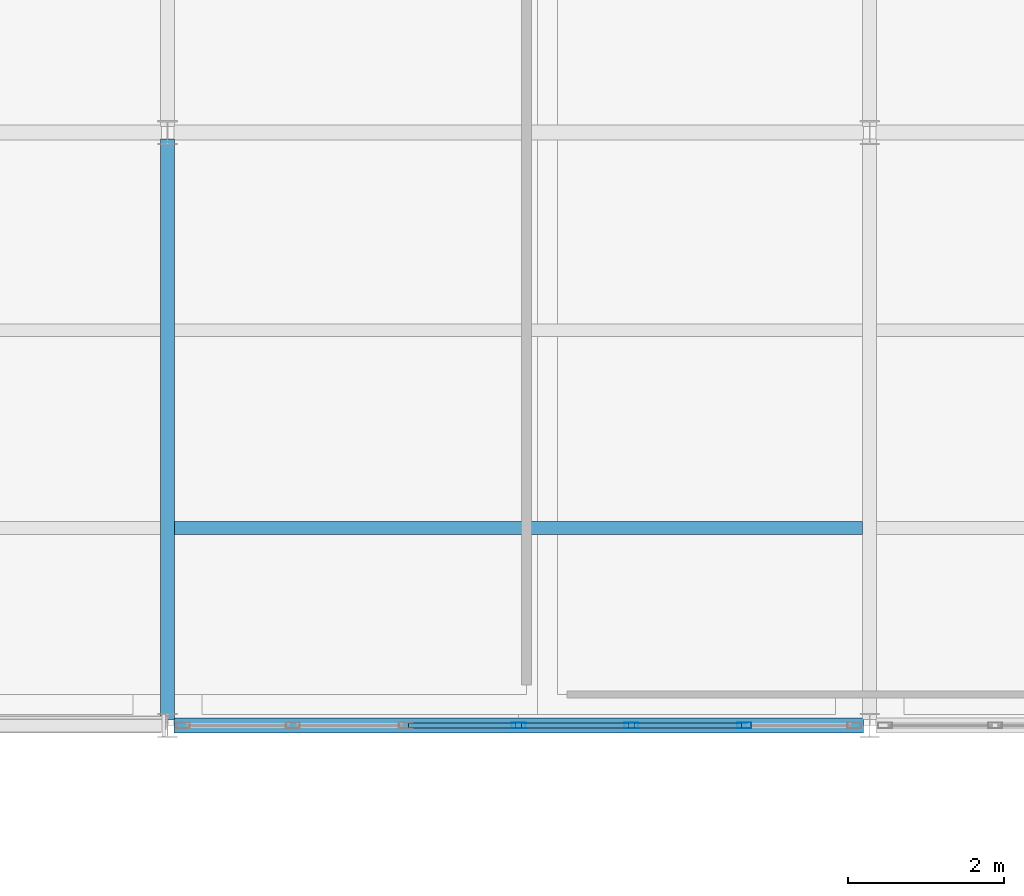
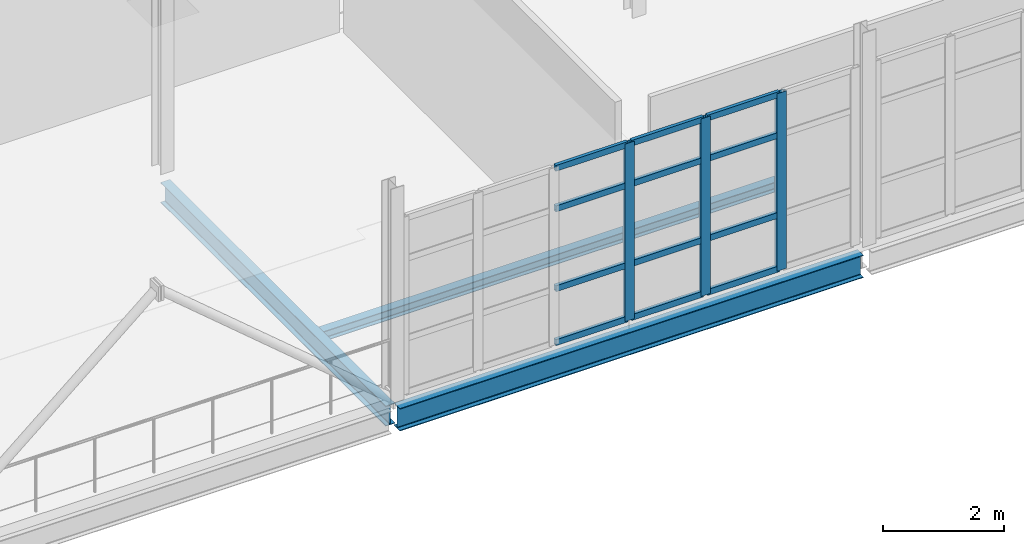
# One storey, part 84 of 174: 15 members, 3 beams, 1 element without a shape of its own.
"""IFC4 building model written with IfcOpenShell, lengths in metres."""

import ifcopenshell
import ifcopenshell.guid

model = None  # the IFC model being written
_history = None  # IfcOwnerHistory: only IFC2X3 demands one
_inside = {}  # id of a spatial element -> (the spatial element, [elements in it])
_under = {}  # id of a project, library or spatial element -> (it, [spatial elements below it])
_declared = {}  # id of a project -> (the project, [libraries it declares])
_typed = {}  # id of a type object -> (the type object, [elements of that type])
_made_of = {}  # id of a material, layer set ... -> (it, [elements and type objects made of it])


def new_model(schema):
    """Start an empty IFC model of exactly this schema.

    Asked for "IFC4X3", IfcOpenShell would pick the latest addendum, in which some entities
    have other attributes; the version numbers below select the first issue.
    IFC2X3 requires an IfcOwnerHistory on every rooted entity: one is made here for all.
    """
    global model, _history
    if schema == "IFC4X3":
        model = ifcopenshell.file(schema_version=(4, 3, 0, 0))
    else:
        model = ifcopenshell.file(schema=schema)
    _inside.clear()
    _under.clear()
    _declared.clear()
    _typed.clear()
    _made_of.clear()
    _history = None
    if model.schema == "IFC2X3":
        org = make("IfcOrganization", Name="unknown")
        user = make(
            "IfcPersonAndOrganization",
            ThePerson=make("IfcPerson", FamilyName="unknown"),
            TheOrganization=org,
        )
        app = make(
            "IfcApplication",
            ApplicationDeveloper=org,
            Version="unknown",
            ApplicationFullName="unknown",
            ApplicationIdentifier="unknown",
        )
        _history = make(
            "IfcOwnerHistory",
            OwningUser=user,
            OwningApplication=app,
            ChangeAction="ADDED",
            CreationDate=0,
        )
    return model


def make(cls, **values):
    """One entity of the class cls with the attributes given. An attribute that is None is left unset."""
    return model.create_entity(
        cls, **{name: value for name, value in values.items() if value is not None}
    )


def rooted(cls, **values):
    """An entity with a GlobalId (a new one), such as an element, a storey or a relation."""
    return make(cls, GlobalId=ifcopenshell.guid.new(), OwnerHistory=_history, **values)


def si_unit(unit_type, name, prefix=None):
    """IfcSIUnit, for example si_unit("LENGTHUNIT", "METRE", prefix="MILLI")."""
    return make("IfcSIUnit", UnitType=unit_type, Prefix=prefix, Name=name)


def assignment(units):
    """IfcUnitAssignment: the units of a project."""
    return None if units is None else make("IfcUnitAssignment", Units=units)


def point(xyz):
    """IfcCartesianPoint."""
    return None if xyz is None else make("IfcCartesianPoint", Coordinates=xyz)


def direction(xyz):
    """IfcDirection."""
    return None if xyz is None else make("IfcDirection", DirectionRatios=xyz)


def frame(location, z_axis=None, x_axis=None):
    """IfcAxis2Placement3D, a coordinate frame: its origin and axes. An axis left out is left unset."""
    return make(
        "IfcAxis2Placement3D",
        Location=point(location),
        Axis=direction(z_axis),
        RefDirection=direction(x_axis),
    )


def frame_2d(location, x_axis=None):
    """IfcAxis2Placement2D, a coordinate frame in the plane: its origin and x axis."""
    return make(
        "IfcAxis2Placement2D", Location=point(location), RefDirection=direction(x_axis)
    )


def origin():
    """The frame at (0, 0, 0) with its axes left unset."""
    return frame((0.0, 0.0, 0.0))


def origin_2d():
    """The frame at (0, 0) in the plane with its x axis left unset."""
    return frame_2d((0.0, 0.0))


def place(relative_to, where):
    """IfcLocalPlacement: puts the frame where relative to a parent placement (None: the world)."""
    return make(
        "IfcLocalPlacement", PlacementRelTo=relative_to, RelativePlacement=where
    )


def context(
    kind, dimensions, precision=None, world=None, true_north=None, identifier=None
):
    """IfcGeometricRepresentationContext, for example the 3D "Model" context."""
    return make(
        "IfcGeometricRepresentationContext",
        ContextIdentifier=identifier,
        ContextType=kind,
        CoordinateSpaceDimension=dimensions,
        Precision=precision,
        WorldCoordinateSystem=world,
        TrueNorth=true_north,
    )


def subcontext(parent, identifier, kind, view, scale=None):
    """IfcGeometricRepresentationSubContext, for example "Body" below "Model"."""
    return make(
        "IfcGeometricRepresentationSubContext",
        ContextIdentifier=identifier,
        ContextType=kind,
        ParentContext=parent,
        TargetScale=scale,
        TargetView=view,
    )


def project(units=None, contexts=None):
    """IfcProject with its units and contexts."""
    return rooted(
        "IfcProject",
        Name="project",
        RepresentationContexts=contexts,
        UnitsInContext=assignment(units),
    )


def spatial(cls, under=None, at=None, **own):
    """A site, building, storey or space (cls), placed at a placement, below another one or the project."""
    s = rooted(cls, ObjectPlacement=at, **own)
    if under is not None:
        _under.setdefault(under.id(), (under, []))[1].append(s)
    return s


def profile(cls, at=None, kind="AREA", **sizes):
    """A parametric profile (cls). Its sizes go by their IFC names, for example OverallWidth=200.0."""
    return make(cls, ProfileType=kind, Position=at, **sizes)


def hollow_rectangle(**sizes):
    """IfcRectangleHollowProfileDef."""
    return profile("IfcRectangleHollowProfileDef", **sizes)


def i_section(**sizes):
    """IfcIShapeProfileDef."""
    return profile("IfcIShapeProfileDef", **sizes)


def extrude(swept, where, along, depth):
    """IfcExtrudedAreaSolid: the profile swept, set in the frame where, extruded along a direction by depth."""
    return make(
        "IfcExtrudedAreaSolid",
        SweptArea=swept,
        Position=where,
        ExtrudedDirection=direction(along),
        Depth=depth,
    )


def shape(context_of_items, identifier, shape_type, items):
    """IfcShapeRepresentation: the items that make up one representation, for example the "Body"."""
    return make(
        "IfcShapeRepresentation",
        ContextOfItems=context_of_items,
        RepresentationIdentifier=identifier,
        RepresentationType=shape_type,
        Items=items,
    )


def material(Name=None, Category=None):
    """IfcMaterial."""
    return make("IfcMaterial", Name=Name, Category=Category)


def material_profile(
    of_material, cross_section, Name=None, Category=None, Priority=None
):
    """IfcMaterialProfile: a cross section and its material."""
    return make(
        "IfcMaterialProfile",
        Name=Name,
        Material=of_material,
        Profile=cross_section,
        Priority=Priority,
        Category=Category,
    )


def profile_set(profiles, Name=None, composite=None):
    """IfcMaterialProfileSet."""
    return make(
        "IfcMaterialProfileSet",
        Name=Name,
        MaterialProfiles=profiles,
        CompositeProfile=composite,
    )


def made_of(thing, what):
    """Note that an element or type object is made of a material, layer set ...; save() writes the relation."""
    if what is not None:
        _made_of.setdefault(what.id(), (what, []))[1].append(thing)
    return thing


def type_object(cls, material=None, **own):
    """A type object (cls), such as IfcWallType, which elements share."""
    return made_of(rooted(cls, **own), material)


def element(
    cls,
    number,
    at=None,
    inside=None,
    cuts=None,
    type_object=None,
    material=None,
    context=None,
    identifier="Body",
    shape_type=None,
    held_by="IfcProductDefinitionShape",
    body=None,
    shapes=None,
    **own,
):
    """One element of the class cls, such as IfcWall. Its Tag is "e" and its number.

    at: its placement. inside: the storey or other place that contains it. cuts: it is an
    opening in that element (IfcRelVoidsElement). A single representation is given by context,
    identifier, shape_type and body (its items); several are given by shapes. held_by: the class
    of the entity that holds the representations. save() writes the other relations.
    """
    e = rooted(cls, Tag="e%d" % number, ObjectPlacement=at, **own)
    if body is not None:
        shapes = [shape(context, identifier, shape_type, body)]
    if shapes is not None:
        e.Representation = make(held_by, Representations=shapes)
    if inside is not None:
        _inside.setdefault(inside.id(), (inside, []))[1].append(e)
    if cuts is not None:
        rooted(
            "IfcRelVoidsElement", RelatingBuildingElement=cuts, RelatedOpeningElement=e
        )
    if type_object is not None:
        _typed.setdefault(type_object.id(), (type_object, []))[1].append(e)
    return made_of(e, material)


def aggregate(whole, parts):
    """IfcRelAggregates: a whole, such as a stair, and the parts it consists of."""
    return rooted("IfcRelAggregates", RelatingObject=whole, RelatedObjects=parts)


def save(model, path):
    """Write the relations noted so far, then the file.

    IfcRelAggregates (storeys below a building ...), IfcRelContainedInSpatialStructure (elements
    in a storey), IfcRelDefinesByType, IfcRelAssociatesMaterial and IfcRelDeclares: one each for
    every whole, place, type object, material and project.
    """
    for whole, parts in _under.values():
        aggregate(whole, parts)
    for where, things in _inside.values():
        rooted(
            "IfcRelContainedInSpatialStructure",
            RelatedElements=things,
            RelatingStructure=where,
        )
    for kind, things in _typed.values():
        rooted("IfcRelDefinesByType", RelatedObjects=things, RelatingType=kind)
    for what, things in _made_of.values():
        rooted("IfcRelAssociatesMaterial", RelatedObjects=things, RelatingMaterial=what)
    for by, libraries in _declared.values():
        rooted("IfcRelDeclares", RelatingContext=by, RelatedDefinitions=libraries)
    model.write(path)


model = new_model("IFC4")

# Units and contexts
model_context = context("Model", 3, precision=1e-05, world=origin(), true_north=direction((0.0, 1.0)))
body_context = subcontext(model_context, "Body", "Model", "MODEL_VIEW")
ifc_project = project(units=[si_unit("LENGTHUNIT", "METRE"), si_unit("AREAUNIT", "SQUARE_METRE"), si_unit("VOLUMEUNIT", "CUBIC_METRE"), si_unit("PLANEANGLEUNIT", "RADIAN"), si_unit("MASSUNIT", "GRAM", prefix="KILO")], contexts=[model_context])

# Site, building, storey
site_placement = place(None, origin())
site = spatial("IfcSite", under=ifc_project, at=site_placement, CompositionType="ELEMENT")
building_placement = place(site_placement, origin())
building = spatial("IfcBuilding", under=site, at=building_placement, Name="Caisbarro Railhouse Central Library", CompositionType="ELEMENT")
storey_placement = place(building_placement, frame((0.0, 0.0, 5.0400390625)))
storey = spatial("IfcBuildingStorey", under=building, at=storey_placement, Name="L01", CompositionType="ELEMENT", Elevation=5.0400390625)

# Beams
ifc_material_1 = material(Name="Steel ASTM A572 Grade 50", Category="steel")
ifc_material_profile_1 = material_profile(ifc_material_1, i_section(OverallWidth=0.177978515625, OverallDepth=0.406982421875, WebThickness=0.0078125, FlangeThickness=0.0126953125, FilletRadius=0.01611328125, at=origin_2d()), Name="W410X60.0")
ifc_profile_set_1 = profile_set([ifc_material_profile_1], Name="Steel ASTM A572 Grade 50")
beam_type_1 = type_object("IfcBeamType", Name="BM-G10", PredefinedType="BEAM", material=ifc_profile_set_1)
beam_1_placement = place(storey_placement, frame((72.0, 83.679931640625, -0.403564453125), z_axis=(0.0, 1.0, 0.0), x_axis=(-1.0, 0.0, 0.0)))
element("IfcBeam", 1, at=beam_1_placement, inside=storey, type_object=beam_type_1, Name="G10 beam L01 #1192", PredefinedType="BEAM", context=body_context, shape_type="SweptSolid", body=[
    extrude(i_section(OverallWidth=0.177978515625, OverallDepth=0.406982421875, WebThickness=0.0078125, FlangeThickness=0.0126953125, FilletRadius=0.01611328125, at=origin_2d()), origin(), (0.0, 0.0, 1.0), 7.440185546875),
])
ifc_material_profile_2 = material_profile(ifc_material_1, i_section(OverallWidth=0.1650390625, OverallDepth=0.200927734375, WebThickness=0.006103515625, FlangeThickness=0.01025390625, FilletRadius=0.010009765625, at=origin_2d()), Name="W200X35.9")
ifc_profile_set_2 = profile_set([ifc_material_profile_2], Name="Steel ASTM A572 Grade 50")
beam_type_2 = type_object("IfcBeamType", Name="BM-J06", PredefinedType="JOIST", material=ifc_profile_set_2)
beam_2_placement = place(storey_placement, frame((72.089111328125, 86.13330078125, -0.300537109375), z_axis=(1.0, 0.0, 0.0), x_axis=(0.0, 1.0, 0.0)))
element("IfcBeam", 2, at=beam_2_placement, inside=storey, type_object=beam_type_2, Name="J06 beam L01 #1224", PredefinedType="JOIST", context=body_context, shape_type="SweptSolid", body=[
    extrude(i_section(OverallWidth=0.1650390625, OverallDepth=0.200927734375, WebThickness=0.006103515625, FlangeThickness=0.01025390625, FilletRadius=0.010009765625, at=origin_2d()), origin(), (0.0, 0.0, 1.0), 8.82177734375),
])
ifc_material_profile_3 = material_profile(ifc_material_1, i_section(OverallWidth=0.18994140625, OverallDepth=0.45703125, WebThickness=0.009033203125, FlangeThickness=0.014404296875, FilletRadius=0.01806640625, at=origin_2d()), Name="W460X74.0")
ifc_profile_set_3 = profile_set([ifc_material_profile_3], Name="Steel ASTM A572 Grade 50")
beam_type_3 = type_object("IfcBeamType", Name="BM-SP01", PredefinedType="SPANDREL", material=ifc_profile_set_3)
beam_3_placement = place(storey_placement, frame((72.080078125, 83.60009765625, -0.428466796875), z_axis=(1.0, 0.0, 0.0), x_axis=(0.0, 1.0, 0.0)))
element("IfcBeam", 3, at=beam_3_placement, inside=storey, type_object=beam_type_3, Name="SP01 beam L01 #1161", PredefinedType="SPANDREL", context=body_context, shape_type="SweptSolid", body=[
    extrude(i_section(OverallWidth=0.18994140625, OverallDepth=0.45703125, WebThickness=0.009033203125, FlangeThickness=0.014404296875, FilletRadius=0.01806640625, at=origin_2d()), origin(), (0.0, 0.0, 1.0), 8.83984375),
])

# Curtain wall, members
ifc_material_2 = material(Name="Anodised architectural aluminium", Category="aluminium")
curtain_wall_type = type_object("IfcCurtainWallType", Name="CW-CW02", PredefinedType="NOTDEFINED", material=ifc_material_2)
curtain_wall_placement = place(storey_placement, origin())
curtain_wall = element("IfcCurtainWall", 4, at=curtain_wall_placement, inside=storey, type_object=curtain_wall_type, Name="CW02 curtain wall L01 #174", PredefinedType="NOTDEFINED")
ifc_material_profile_4 = material_profile(ifc_material_2, hollow_rectangle(XDim=0.074951171875, YDim=0.179931640625, WallThickness=0.00439453125, at=origin_2d()), Name="ALU-MUL-75X180")
ifc_profile_set_4 = profile_set([ifc_material_profile_4], Name="Anodised architectural aluminium")
member_type_1 = type_object("IfcMemberType", Name="CWM-M01", PredefinedType="MULLION", material=ifc_profile_set_4)
member_1_placement = place(storey_placement, frame((76.5, 83.60009765625, 0.0), z_axis=(0.0, 0.0, 1.0), x_axis=(0.0, 1.0, 0.0)))
member_1 = element("IfcMember", 5, at=member_1_placement, type_object=member_type_1, Name="CW02 mullion 4", PredefinedType="MULLION", context=body_context, shape_type="SweptSolid", body=[
    extrude(hollow_rectangle(XDim=0.074951171875, YDim=0.179931640625, WallThickness=0.00439453125, at=origin_2d()), origin(), (0.0, 0.0, 1.0), 3.580078125),
])
member_2_placement = place(storey_placement, frame((77.94677734375, 83.60009765625, 0.0), z_axis=(0.0, 0.0, 1.0), x_axis=(0.0, 1.0, 0.0)))
member_2 = element("IfcMember", 6, at=member_2_placement, type_object=member_type_1, Name="CW02 mullion 5", PredefinedType="MULLION", context=body_context, shape_type="SweptSolid", body=[
    extrude(hollow_rectangle(XDim=0.074951171875, YDim=0.179931640625, WallThickness=0.00439453125, at=origin_2d()), origin(), (0.0, 0.0, 1.0), 3.580078125),
])
member_3_placement = place(storey_placement, frame((79.393310546875, 83.60009765625, 0.0), z_axis=(0.0, 0.0, 1.0), x_axis=(0.0, 1.0, 0.0)))
member_3 = element("IfcMember", 7, at=member_3_placement, type_object=member_type_1, Name="CW02 mullion 6", PredefinedType="MULLION", context=body_context, shape_type="SweptSolid", body=[
    extrude(hollow_rectangle(XDim=0.074951171875, YDim=0.179931640625, WallThickness=0.00439453125, at=origin_2d()), origin(), (0.0, 0.0, 1.0), 3.580078125),
])
ifc_material_profile_5 = material_profile(ifc_material_2, hollow_rectangle(XDim=0.06494140625, YDim=0.1201171875, WallThickness=0.00341796875, at=origin_2d()), Name="ALU-TRN-65X120")
ifc_profile_set_5 = profile_set([ifc_material_profile_5], Name="Anodised architectural aluminium")
member_type_2 = type_object("IfcMemberType", Name="CWT-T02", PredefinedType="USERDEFINED", material=ifc_profile_set_5)
member_4_placement = place(storey_placement, frame((75.0908203125, 83.60009765625, 0.032470703125), z_axis=(1.0, 0.0, 0.0), x_axis=(0.0, 1.0, 0.0)))
member_4 = element("IfcMember", 8, at=member_4_placement, type_object=member_type_2, Name="CW02 transom 3.1", ObjectType="TRANSOM", PredefinedType="USERDEFINED", context=body_context, shape_type="SweptSolid", body=[
    extrude(hollow_rectangle(XDim=0.06494140625, YDim=0.1201171875, WallThickness=0.00341796875, at=origin_2d()), origin(), (0.0, 0.0, 1.0), 1.37158203125),
])
member_5_placement = place(storey_placement, frame((75.0908203125, 83.60009765625, 1.119873046875), z_axis=(1.0, 0.0, 0.0), x_axis=(0.0, 1.0, 0.0)))
member_5 = element("IfcMember", 9, at=member_5_placement, type_object=member_type_2, Name="CW02 transom 3.2", ObjectType="TRANSOM", PredefinedType="USERDEFINED", context=body_context, shape_type="SweptSolid", body=[
    extrude(hollow_rectangle(XDim=0.06494140625, YDim=0.1201171875, WallThickness=0.00341796875, at=origin_2d()), origin(), (0.0, 0.0, 1.0), 1.37158203125),
])
member_6_placement = place(storey_placement, frame((75.0908203125, 83.60009765625, 2.72998046875), z_axis=(1.0, 0.0, 0.0), x_axis=(0.0, 1.0, 0.0)))
member_6 = element("IfcMember", 10, at=member_6_placement, type_object=member_type_2, Name="CW02 transom 3.3", ObjectType="TRANSOM", PredefinedType="USERDEFINED", context=body_context, shape_type="SweptSolid", body=[
    extrude(hollow_rectangle(XDim=0.06494140625, YDim=0.1201171875, WallThickness=0.00341796875, at=origin_2d()), origin(), (0.0, 0.0, 1.0), 1.37158203125),
])
member_7_placement = place(storey_placement, frame((75.0908203125, 83.60009765625, 3.54736328125), z_axis=(1.0, 0.0, 0.0), x_axis=(0.0, 1.0, 0.0)))
member_7 = element("IfcMember", 11, at=member_7_placement, type_object=member_type_2, Name="CW02 transom 3.4", ObjectType="TRANSOM", PredefinedType="USERDEFINED", context=body_context, shape_type="SweptSolid", body=[
    extrude(hollow_rectangle(XDim=0.06494140625, YDim=0.1201171875, WallThickness=0.00341796875, at=origin_2d()), origin(), (0.0, 0.0, 1.0), 1.37158203125),
])
member_8_placement = place(storey_placement, frame((76.53759765625, 83.60009765625, 0.032470703125), z_axis=(1.0, 0.0, 0.0), x_axis=(0.0, 1.0, 0.0)))
member_8 = element("IfcMember", 12, at=member_8_placement, type_object=member_type_2, Name="CW02 transom 4.1", ObjectType="TRANSOM", PredefinedType="USERDEFINED", context=body_context, shape_type="SweptSolid", body=[
    extrude(hollow_rectangle(XDim=0.06494140625, YDim=0.1201171875, WallThickness=0.00341796875, at=origin_2d()), origin(), (0.0, 0.0, 1.0), 1.37158203125),
])
member_9_placement = place(storey_placement, frame((76.53759765625, 83.60009765625, 1.119873046875), z_axis=(1.0, 0.0, 0.0), x_axis=(0.0, 1.0, 0.0)))
member_9 = element("IfcMember", 13, at=member_9_placement, type_object=member_type_2, Name="CW02 transom 4.2", ObjectType="TRANSOM", PredefinedType="USERDEFINED", context=body_context, shape_type="SweptSolid", body=[
    extrude(hollow_rectangle(XDim=0.06494140625, YDim=0.1201171875, WallThickness=0.00341796875, at=origin_2d()), origin(), (0.0, 0.0, 1.0), 1.37158203125),
])
member_10_placement = place(storey_placement, frame((76.53759765625, 83.60009765625, 2.72998046875), z_axis=(1.0, 0.0, 0.0), x_axis=(0.0, 1.0, 0.0)))
member_10 = element("IfcMember", 14, at=member_10_placement, type_object=member_type_2, Name="CW02 transom 4.3", ObjectType="TRANSOM", PredefinedType="USERDEFINED", context=body_context, shape_type="SweptSolid", body=[
    extrude(hollow_rectangle(XDim=0.06494140625, YDim=0.1201171875, WallThickness=0.00341796875, at=origin_2d()), origin(), (0.0, 0.0, 1.0), 1.37158203125),
])
member_11_placement = place(storey_placement, frame((76.53759765625, 83.60009765625, 3.54736328125), z_axis=(1.0, 0.0, 0.0), x_axis=(0.0, 1.0, 0.0)))
member_11 = element("IfcMember", 15, at=member_11_placement, type_object=member_type_2, Name="CW02 transom 4.4", ObjectType="TRANSOM", PredefinedType="USERDEFINED", context=body_context, shape_type="SweptSolid", body=[
    extrude(hollow_rectangle(XDim=0.06494140625, YDim=0.1201171875, WallThickness=0.00341796875, at=origin_2d()), origin(), (0.0, 0.0, 1.0), 1.37158203125),
])
member_12_placement = place(storey_placement, frame((77.984130859375, 83.60009765625, 0.032470703125), z_axis=(1.0, 0.0, 0.0), x_axis=(0.0, 1.0, 0.0)))
member_12 = element("IfcMember", 16, at=member_12_placement, type_object=member_type_2, Name="CW02 transom 5.1", ObjectType="TRANSOM", PredefinedType="USERDEFINED", context=body_context, shape_type="SweptSolid", body=[
    extrude(hollow_rectangle(XDim=0.06494140625, YDim=0.1201171875, WallThickness=0.00341796875, at=origin_2d()), origin(), (0.0, 0.0, 1.0), 1.37158203125),
])
member_13_placement = place(storey_placement, frame((77.984130859375, 83.60009765625, 1.119873046875), z_axis=(1.0, 0.0, 0.0), x_axis=(0.0, 1.0, 0.0)))
member_13 = element("IfcMember", 17, at=member_13_placement, type_object=member_type_2, Name="CW02 transom 5.2", ObjectType="TRANSOM", PredefinedType="USERDEFINED", context=body_context, shape_type="SweptSolid", body=[
    extrude(hollow_rectangle(XDim=0.06494140625, YDim=0.1201171875, WallThickness=0.00341796875, at=origin_2d()), origin(), (0.0, 0.0, 1.0), 1.37158203125),
])
member_14_placement = place(storey_placement, frame((77.984130859375, 83.60009765625, 2.72998046875), z_axis=(1.0, 0.0, 0.0), x_axis=(0.0, 1.0, 0.0)))
member_14 = element("IfcMember", 18, at=member_14_placement, type_object=member_type_2, Name="CW02 transom 5.3", ObjectType="TRANSOM", PredefinedType="USERDEFINED", context=body_context, shape_type="SweptSolid", body=[
    extrude(hollow_rectangle(XDim=0.06494140625, YDim=0.1201171875, WallThickness=0.00341796875, at=origin_2d()), origin(), (0.0, 0.0, 1.0), 1.37158203125),
])
member_15_placement = place(storey_placement, frame((77.984130859375, 83.60009765625, 3.54736328125), z_axis=(1.0, 0.0, 0.0), x_axis=(0.0, 1.0, 0.0)))
member_15 = element("IfcMember", 19, at=member_15_placement, type_object=member_type_2, Name="CW02 transom 5.4", ObjectType="TRANSOM", PredefinedType="USERDEFINED", context=body_context, shape_type="SweptSolid", body=[
    extrude(hollow_rectangle(XDim=0.06494140625, YDim=0.1201171875, WallThickness=0.00341796875, at=origin_2d()), origin(), (0.0, 0.0, 1.0), 1.37158203125),
])
aggregate(curtain_wall, [member_1, member_2, member_3, member_4, member_5, member_6, member_7, member_8, member_9, member_10, member_11, member_12, member_13, member_14, member_15])

save(model, "model.ifc")
